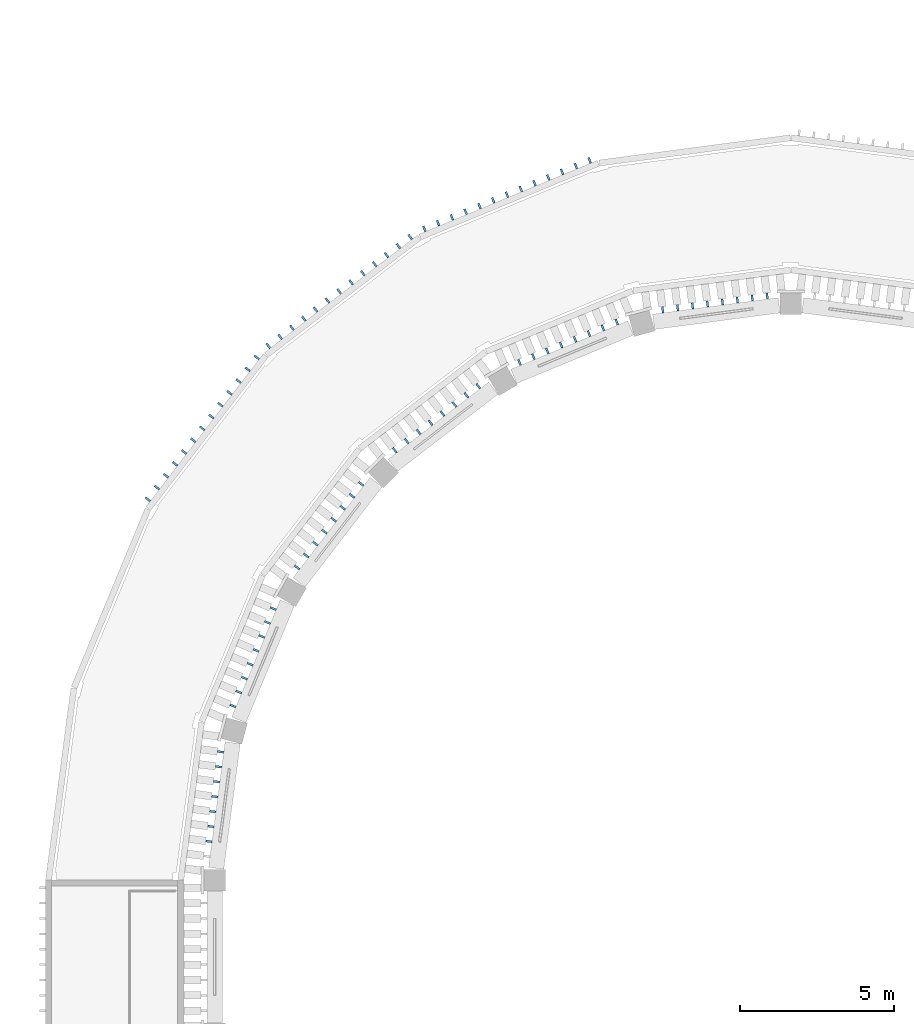
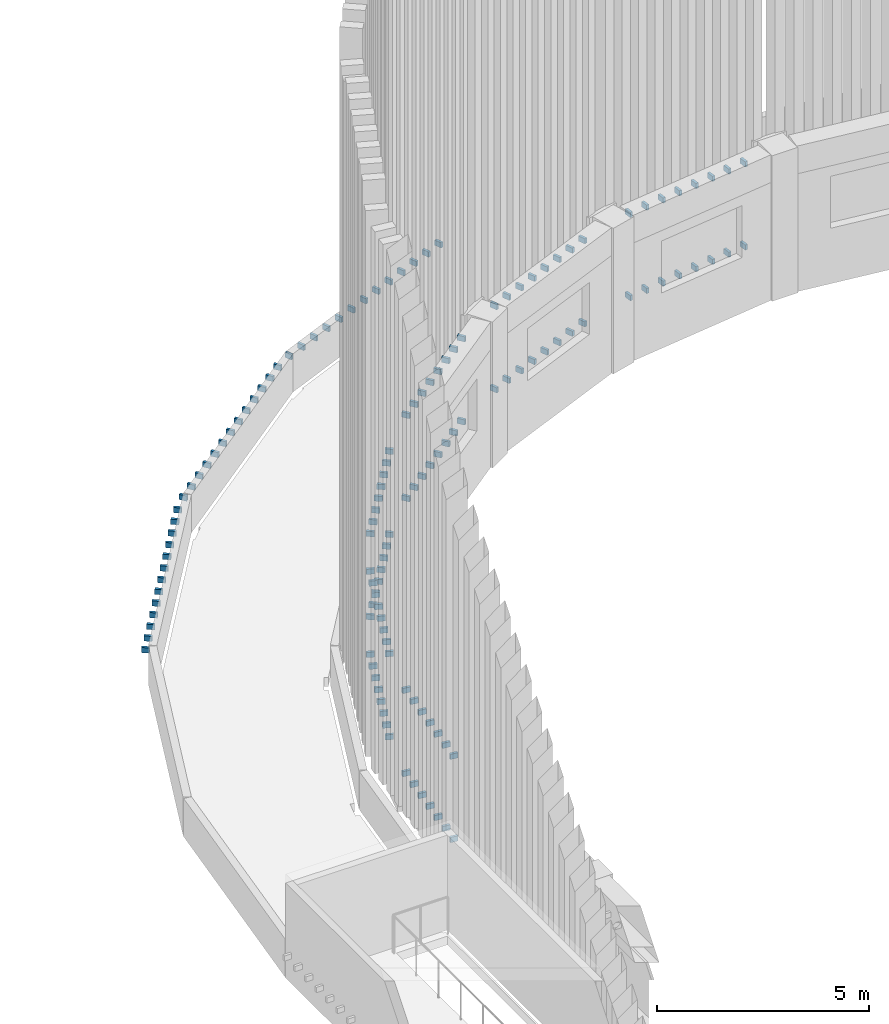
# One storey, part 45 of 68: 133 discrete accessories.
"""IFC4 building model written with IfcOpenShell, lengths in metres."""

from ifc_helpers import new_model, si_unit, direction, frame, origin, origin_2d, place, context, subcontext, project, spatial, rectangle, extrude, material, type_object, element, save


model = new_model("IFC4")

# Units and contexts
model_context = context("Model", 3, precision=1e-05, world=origin(), true_north=direction((0.0, 1.0)))
body_context = subcontext(model_context, "Body", "Model", "MODEL_VIEW")
ifc_project = project(units=[si_unit("LENGTHUNIT", "METRE"), si_unit("AREAUNIT", "SQUARE_METRE"), si_unit("VOLUMEUNIT", "CUBIC_METRE"), si_unit("PLANEANGLEUNIT", "RADIAN"), si_unit("MASSUNIT", "GRAM", prefix="KILO")], contexts=[model_context])

# Site, building, storey
site_placement = place(None, origin())
site = spatial("IfcSite", under=ifc_project, at=site_placement, CompositionType="ELEMENT")
building_placement = place(site_placement, origin())
building = spatial("IfcBuilding", under=site, at=building_placement, Name="Wasatch Bagh Community Centre", CompositionType="ELEMENT")
storey_placement = place(building_placement, frame((0.0, 0.0, 8.39990234375)))
storey = spatial("IfcBuildingStorey", under=building, at=storey_placement, Name="L02", CompositionType="ELEMENT", Elevation=8.39990234375)

# Discrete accessories
ifc_material = material(Name="ASTM A36 steel", Category="steel")
discrete_accessory_type_1 = type_object("IfcDiscreteAccessoryType", Name="Drum fin bracket", PredefinedType="BRACKET", material=ifc_material)
for number, where, z_axis, x_axis, name in (
    (1, (29.449951171875, 88.416748046875, 0.72509765625), (0.0, 0.0, 1.0), (-0.923879532511, -0.382683432365, 0.0), "Fin bracket 26.1.3"),
    (2, (29.001953125, 88.231201171875, 0.72509765625), (0.0, 0.0, 1.0), (-0.923879532511, -0.382683432365, 0.0), "Fin bracket 26.2.3"),
    (3, (28.553955078125, 88.045654296875, 0.72509765625), (0.0, 0.0, 1.0), (-0.923879532511, -0.382683432365, 0.0), "Fin bracket 26.3.3"),
    (4, (28.105712890625, 87.860107421875, 0.72509765625), (0.0, 0.0, 1.0), (-0.923879532511, -0.382683432365, 0.0), "Fin bracket 26.4.3"),
    (5, (27.65771484375, 87.674560546875, 0.72509765625), (0.0, 0.0, 1.0), (-0.923879532511, -0.382683432365, 0.0), "Fin bracket 26.5.3"),
    (6, (27.209716796875, 87.48876953125, 0.72509765625), (0.0, 0.0, 1.0), (-0.923879532511, -0.382683432365, 0.0), "Fin bracket 26.6.3"),
    (7, (26.76171875, 87.30322265625, 0.72509765625), (0.0, 0.0, 1.0), (-0.923879532511, -0.382683432365, 0.0), "Fin bracket 26.7.3"),
    (8, (26.313720703125, 87.11767578125, 0.72509765625), (0.0, 0.0, 1.0), (-0.923879532511, -0.382683432365, 0.0), "Fin bracket 26.8.3"),
    (9, (25.865478515625, 86.93212890625, 0.72509765625), (0.0, 0.0, 1.0), (-0.923879532511, -0.382683432365, 0.0), "Fin bracket 26.9.3"),
    (10, (25.41748046875, 86.74658203125, 0.72509765625), (0.0, 0.0, 1.0), (-0.923879532511, -0.382683432365, 0.0), "Fin bracket 26.10.3"),
    (11, (24.969482421875, 86.56103515625, 0.72509765625), (0.0, 0.0, 1.0), (-0.923879532511, -0.382683432365, 0.0), "Fin bracket 26.11.3"),
    (12, (24.521484375, 86.375244140625, 0.72509765625), (0.0, 0.0, 1.0), (-0.923879532511, -0.382683432365, 0.0), "Fin bracket 26.12.3"),
    (13, (24.073486328125, 86.189697265625, 0.72509765625), (0.0, 0.0, 1.0), (-0.923879532511, -0.382683432365, 0.0), "Fin bracket 26.13.3"),
    (14, (23.6123046875, 85.923583984375, 0.72509765625), (0.0, 0.0, 1.0), (-0.793353340291, -0.608761429009, 0.0), "Fin bracket 27.1.3"),
    (15, (23.2275390625, 85.62841796875, 0.72509765625), (0.0, 0.0, 1.0), (-0.793353340291, -0.608761429009, 0.0), "Fin bracket 27.2.3"),
    (16, (22.843017578125, 85.333251953125, 0.72509765625), (0.0, 0.0, 1.0), (-0.793353340291, -0.608761429009, 0.0), "Fin bracket 27.3.3"),
    (17, (22.458251953125, 85.037841796875, 0.72509765625), (0.0, 0.0, 1.0), (-0.793353340291, -0.608761429009, 0.0), "Fin bracket 27.4.3"),
    (18, (22.073486328125, 84.74267578125, 0.72509765625), (0.0, 0.0, 1.0), (-0.793353340291, -0.608761429009, 0.0), "Fin bracket 27.5.3"),
    (19, (21.688720703125, 84.447509765625, 0.72509765625), (0.0, 0.0, 1.0), (-0.793353340291, -0.608761429009, 0.0), "Fin bracket 27.6.3"),
    (20, (21.303955078125, 84.15234375, 0.72509765625), (0.0, 0.0, 1.0), (-0.793353340291, -0.608761429009, 0.0), "Fin bracket 27.7.3"),
    (21, (20.919189453125, 83.85693359375, 0.72509765625), (0.0, 0.0, 1.0), (-0.793353340291, -0.608761429009, 0.0), "Fin bracket 27.8.3"),
    (22, (20.534423828125, 83.561767578125, 0.72509765625), (0.0, 0.0, 1.0), (-0.793353340291, -0.608761429009, 0.0), "Fin bracket 27.9.3"),
    (23, (20.149658203125, 83.2666015625, 0.72509765625), (0.0, 0.0, 1.0), (-0.793353340291, -0.608761429009, 0.0), "Fin bracket 27.10.3"),
    (24, (19.764892578125, 82.971435546875, 0.72509765625), (0.0, 0.0, 1.0), (-0.793353340291, -0.608761429009, 0.0), "Fin bracket 27.11.3"),
    (25, (19.38037109375, 82.67626953125, 0.72509765625), (0.0, 0.0, 1.0), (-0.793353340291, -0.608761429009, 0.0), "Fin bracket 27.12.3"),
    (26, (18.99560546875, 82.380859375, 0.72509765625), (0.0, 0.0, 1.0), (-0.793353340291, -0.608761429009, 0.0), "Fin bracket 27.13.3"),
    (27, (18.619140625, 82.00439453125, 0.72509765625), (0.0, 0.0, 1.0), (-0.608761429009, -0.793353340291, 0.0), "Fin bracket 28.1.3"),
    (28, (18.32373046875, 81.61962890625, 0.72509765625), (0.0, 0.0, 1.0), (-0.608761429009, -0.793353340291, 0.0), "Fin bracket 28.2.3"),
    (29, (18.028564453125, 81.235107421875, 0.72509765625), (0.0, 0.0, 1.0), (-0.608761429009, -0.793353340291, 0.0), "Fin bracket 28.3.3"),
    (30, (17.7333984375, 80.850341796875, 0.72509765625), (0.0, 0.0, 1.0), (-0.608761429009, -0.793353340291, 0.0), "Fin bracket 28.4.3"),
    (31, (17.438232421875, 80.465576171875, 0.72509765625), (0.0, 0.0, 1.0), (-0.608761429009, -0.793353340291, 0.0), "Fin bracket 28.5.3"),
    (32, (17.14306640625, 80.080810546875, 0.72509765625), (0.0, 0.0, 1.0), (-0.608761429009, -0.793353340291, 0.0), "Fin bracket 28.6.3"),
    (33, (16.84765625, 79.696044921875, 0.72509765625), (0.0, 0.0, 1.0), (-0.608761429009, -0.793353340291, 0.0), "Fin bracket 28.7.3"),
    (34, (16.552490234375, 79.311279296875, 0.72509765625), (0.0, 0.0, 1.0), (-0.608761429009, -0.793353340291, 0.0), "Fin bracket 28.8.3"),
    (35, (16.25732421875, 78.926513671875, 0.72509765625), (0.0, 0.0, 1.0), (-0.608761429009, -0.793353340291, 0.0), "Fin bracket 28.9.3"),
    (36, (15.962158203125, 78.541748046875, 0.72509765625), (0.0, 0.0, 1.0), (-0.608761429009, -0.793353340291, 0.0), "Fin bracket 28.10.3"),
    (37, (15.666748046875, 78.156982421875, 0.72509765625), (0.0, 0.0, 1.0), (-0.608761429009, -0.793353340291, 0.0), "Fin bracket 28.11.3"),
    (38, (15.37158203125, 77.7724609375, 0.72509765625), (0.0, 0.0, 1.0), (-0.608761429009, -0.793353340291, 0.0), "Fin bracket 28.12.3"),
    (39, (15.076416015625, 77.3876953125, 0.72509765625), (0.0, 0.0, 1.0), (-0.608761429009, -0.793353340291, 0.0), "Fin bracket 28.13.3"),
):
    element("IfcDiscreteAccessory", number, at=place(storey_placement, frame(where, z_axis=z_axis, x_axis=x_axis)), inside=storey, type_object=discrete_accessory_type_1, Name=name, PredefinedType="BRACKET", context=body_context, shape_type="SweptSolid", body=[
        extrude(rectangle(XDim=0.070068359375, YDim=0.195068359375, at=origin_2d()), origin(), (0.0, 0.0, 1.0), 0.14990234375),
    ])
discrete_accessory_type_2 = type_object("IfcDiscreteAccessoryType", Name="MH fin bracket", PredefinedType="BRACKET", material=ifc_material)
for number, where, z_axis, x_axis, name in (
    (40, (35.226318359375, 84.001220703125, 1.3251953125), (0.0, 0.0, 1.0), (-0.991444861374, -0.13052619222, 0.0), "Fin bracket 25.2.1"),
    (41, (35.226318359375, 84.001220703125, 3.72509765625), (0.0, 0.0, 1.0), (-0.991444861374, -0.13052619222, 0.0), "Fin bracket 25.2.2"),
    (42, (34.7412109375, 83.937255859375, 1.3251953125), (0.0, 0.0, 1.0), (-0.991444861374, -0.13052619222, 0.0), "Fin bracket 25.3.1"),
    (43, (34.7412109375, 83.937255859375, 3.72509765625), (0.0, 0.0, 1.0), (-0.991444861374, -0.13052619222, 0.0), "Fin bracket 25.3.2"),
    (44, (34.255859375, 83.873291015625, 1.3251953125), (0.0, 0.0, 1.0), (-0.991444861374, -0.13052619222, 0.0), "Fin bracket 25.4.1"),
    (45, (34.255859375, 83.873291015625, 3.72509765625), (0.0, 0.0, 1.0), (-0.991444861374, -0.13052619222, 0.0), "Fin bracket 25.4.2"),
    (46, (33.7705078125, 83.8095703125, 1.3251953125), (0.0, 0.0, 1.0), (-0.991444861374, -0.13052619222, 0.0), "Fin bracket 25.5.1"),
    (47, (33.7705078125, 83.8095703125, 3.72509765625), (0.0, 0.0, 1.0), (-0.991444861374, -0.13052619222, 0.0), "Fin bracket 25.5.2"),
    (48, (33.28515625, 83.74560546875, 1.3251953125), (0.0, 0.0, 1.0), (-0.991444861374, -0.13052619222, 0.0), "Fin bracket 25.6.1"),
    (49, (33.28515625, 83.74560546875, 3.72509765625), (0.0, 0.0, 1.0), (-0.991444861374, -0.13052619222, 0.0), "Fin bracket 25.6.2"),
    (50, (32.800048828125, 83.681640625, 1.3251953125), (0.0, 0.0, 1.0), (-0.991444861374, -0.13052619222, 0.0), "Fin bracket 25.7.1"),
    (51, (32.800048828125, 83.681640625, 3.72509765625), (0.0, 0.0, 1.0), (-0.991444861374, -0.13052619222, 0.0), "Fin bracket 25.7.2"),
    (52, (32.314697265625, 83.617919921875, 1.3251953125), (0.0, 0.0, 1.0), (-0.991444861374, -0.13052619222, 0.0), "Fin bracket 25.8.1"),
    (53, (32.314697265625, 83.617919921875, 3.72509765625), (0.0, 0.0, 1.0), (-0.991444861374, -0.13052619222, 0.0), "Fin bracket 25.8.2"),
    (54, (31.829345703125, 83.553955078125, 1.3251953125), (0.0, 0.0, 1.0), (-0.991444861374, -0.13052619222, 0.0), "Fin bracket 25.9.1"),
    (55, (31.829345703125, 83.553955078125, 3.72509765625), (0.0, 0.0, 1.0), (-0.991444861374, -0.13052619222, 0.0), "Fin bracket 25.9.2"),
    (56, (30.3349609375, 83.153564453125, 1.3251953125), (0.0, 0.0, 1.0), (-0.923879532511, -0.382683432365, 0.0), "Fin bracket 26.2.1"),
    (57, (30.3349609375, 83.153564453125, 3.72509765625), (0.0, 0.0, 1.0), (-0.923879532511, -0.382683432365, 0.0), "Fin bracket 26.2.2"),
    (58, (29.882568359375, 82.966064453125, 1.3251953125), (0.0, 0.0, 1.0), (-0.923879532511, -0.382683432365, 0.0), "Fin bracket 26.3.1"),
    (59, (29.882568359375, 82.966064453125, 3.72509765625), (0.0, 0.0, 1.0), (-0.923879532511, -0.382683432365, 0.0), "Fin bracket 26.3.2"),
    (60, (29.430419921875, 82.77880859375, 1.3251953125), (0.0, 0.0, 1.0), (-0.923879532511, -0.382683432365, 0.0), "Fin bracket 26.4.1"),
    (61, (29.430419921875, 82.77880859375, 3.72509765625), (0.0, 0.0, 1.0), (-0.923879532511, -0.382683432365, 0.0), "Fin bracket 26.4.2"),
    (62, (28.978271484375, 82.591552734375, 1.3251953125), (0.0, 0.0, 1.0), (-0.923879532511, -0.382683432365, 0.0), "Fin bracket 26.5.1"),
    (63, (28.978271484375, 82.591552734375, 3.72509765625), (0.0, 0.0, 1.0), (-0.923879532511, -0.382683432365, 0.0), "Fin bracket 26.5.2"),
    (64, (28.526123046875, 82.404296875, 1.3251953125), (0.0, 0.0, 1.0), (-0.923879532511, -0.382683432365, 0.0), "Fin bracket 26.6.1"),
    (65, (28.526123046875, 82.404296875, 3.72509765625), (0.0, 0.0, 1.0), (-0.923879532511, -0.382683432365, 0.0), "Fin bracket 26.6.2"),
    (66, (28.07373046875, 82.217041015625, 1.3251953125), (0.0, 0.0, 1.0), (-0.923879532511, -0.382683432365, 0.0), "Fin bracket 26.7.1"),
    (67, (28.07373046875, 82.217041015625, 3.72509765625), (0.0, 0.0, 1.0), (-0.923879532511, -0.382683432365, 0.0), "Fin bracket 26.7.2"),
    (68, (27.62158203125, 82.029541015625, 1.3251953125), (0.0, 0.0, 1.0), (-0.923879532511, -0.382683432365, 0.0), "Fin bracket 26.8.1"),
    (69, (27.62158203125, 82.029541015625, 3.72509765625), (0.0, 0.0, 1.0), (-0.923879532511, -0.382683432365, 0.0), "Fin bracket 26.8.2"),
    (70, (27.16943359375, 81.84228515625, 1.3251953125), (0.0, 0.0, 1.0), (-0.923879532511, -0.382683432365, 0.0), "Fin bracket 26.9.1"),
    (71, (27.16943359375, 81.84228515625, 3.72509765625), (0.0, 0.0, 1.0), (-0.923879532511, -0.382683432365, 0.0), "Fin bracket 26.9.2"),
    (72, (25.829345703125, 81.068603515625, 1.3251953125), (0.0, 0.0, 1.0), (-0.793353340291, -0.608761429009, 0.0), "Fin bracket 27.2.1"),
    (73, (25.829345703125, 81.068603515625, 3.72509765625), (0.0, 0.0, 1.0), (-0.793353340291, -0.608761429009, 0.0), "Fin bracket 27.2.2"),
    (74, (25.441162109375, 80.770751953125, 1.3251953125), (0.0, 0.0, 1.0), (-0.793353340291, -0.608761429009, 0.0), "Fin bracket 27.3.1"),
    (75, (25.441162109375, 80.770751953125, 3.72509765625), (0.0, 0.0, 1.0), (-0.793353340291, -0.608761429009, 0.0), "Fin bracket 27.3.2"),
    (76, (25.052734375, 80.47265625, 1.3251953125), (0.0, 0.0, 1.0), (-0.793353340291, -0.608761429009, 0.0), "Fin bracket 27.4.1"),
    (77, (25.052734375, 80.47265625, 3.72509765625), (0.0, 0.0, 1.0), (-0.793353340291, -0.608761429009, 0.0), "Fin bracket 27.4.2"),
    (78, (24.66455078125, 80.1748046875, 1.3251953125), (0.0, 0.0, 1.0), (-0.793353340291, -0.608761429009, 0.0), "Fin bracket 27.5.1"),
    (79, (24.66455078125, 80.1748046875, 3.72509765625), (0.0, 0.0, 1.0), (-0.793353340291, -0.608761429009, 0.0), "Fin bracket 27.5.2"),
    (80, (24.276123046875, 79.876708984375, 1.3251953125), (0.0, 0.0, 1.0), (-0.793353340291, -0.608761429009, 0.0), "Fin bracket 27.6.1"),
    (81, (24.276123046875, 79.876708984375, 3.72509765625), (0.0, 0.0, 1.0), (-0.793353340291, -0.608761429009, 0.0), "Fin bracket 27.6.2"),
    (82, (23.887939453125, 79.578857421875, 1.3251953125), (0.0, 0.0, 1.0), (-0.793353340291, -0.608761429009, 0.0), "Fin bracket 27.7.1"),
    (83, (23.887939453125, 79.578857421875, 3.72509765625), (0.0, 0.0, 1.0), (-0.793353340291, -0.608761429009, 0.0), "Fin bracket 27.7.2"),
    (84, (23.49951171875, 79.28076171875, 1.3251953125), (0.0, 0.0, 1.0), (-0.793353340291, -0.608761429009, 0.0), "Fin bracket 27.8.1"),
    (85, (23.49951171875, 79.28076171875, 3.72509765625), (0.0, 0.0, 1.0), (-0.793353340291, -0.608761429009, 0.0), "Fin bracket 27.8.2"),
    (86, (23.111083984375, 78.98291015625, 1.3251953125), (0.0, 0.0, 1.0), (-0.793353340291, -0.608761429009, 0.0), "Fin bracket 27.9.1"),
    (87, (23.111083984375, 78.98291015625, 3.72509765625), (0.0, 0.0, 1.0), (-0.793353340291, -0.608761429009, 0.0), "Fin bracket 27.9.2"),
    (88, (22.01708984375, 77.888916015625, 1.3251953125), (0.0, 0.0, 1.0), (-0.608761429009, -0.793353340291, 0.0), "Fin bracket 28.2.1"),
    (89, (22.01708984375, 77.888916015625, 3.72509765625), (0.0, 0.0, 1.0), (-0.608761429009, -0.793353340291, 0.0), "Fin bracket 28.2.2"),
    (90, (21.71923828125, 77.50048828125, 1.3251953125), (0.0, 0.0, 1.0), (-0.608761429009, -0.793353340291, 0.0), "Fin bracket 28.3.1"),
    (91, (21.71923828125, 77.50048828125, 3.72509765625), (0.0, 0.0, 1.0), (-0.608761429009, -0.793353340291, 0.0), "Fin bracket 28.3.2"),
    (92, (21.421142578125, 77.112060546875, 1.3251953125), (0.0, 0.0, 1.0), (-0.608761429009, -0.793353340291, 0.0), "Fin bracket 28.4.1"),
    (93, (21.421142578125, 77.112060546875, 3.72509765625), (0.0, 0.0, 1.0), (-0.608761429009, -0.793353340291, 0.0), "Fin bracket 28.4.2"),
    (94, (21.123291015625, 76.723876953125, 1.3251953125), (0.0, 0.0, 1.0), (-0.608761429009, -0.793353340291, 0.0), "Fin bracket 28.5.1"),
    (95, (21.123291015625, 76.723876953125, 3.72509765625), (0.0, 0.0, 1.0), (-0.608761429009, -0.793353340291, 0.0), "Fin bracket 28.5.2"),
    (96, (20.8251953125, 76.33544921875, 1.3251953125), (0.0, 0.0, 1.0), (-0.608761429009, -0.793353340291, 0.0), "Fin bracket 28.6.1"),
    (97, (20.8251953125, 76.33544921875, 3.72509765625), (0.0, 0.0, 1.0), (-0.608761429009, -0.793353340291, 0.0), "Fin bracket 28.6.2"),
    (98, (20.52734375, 75.947265625, 1.3251953125), (0.0, 0.0, 1.0), (-0.608761429009, -0.793353340291, 0.0), "Fin bracket 28.7.1"),
    (99, (20.52734375, 75.947265625, 3.72509765625), (0.0, 0.0, 1.0), (-0.608761429009, -0.793353340291, 0.0), "Fin bracket 28.7.2"),
    (100, (20.229248046875, 75.558837890625, 1.3251953125), (0.0, 0.0, 1.0), (-0.608761429009, -0.793353340291, 0.0), "Fin bracket 28.8.1"),
    (101, (20.229248046875, 75.558837890625, 3.72509765625), (0.0, 0.0, 1.0), (-0.608761429009, -0.793353340291, 0.0), "Fin bracket 28.8.2"),
    (102, (19.931396484375, 75.170654296875, 1.3251953125), (0.0, 0.0, 1.0), (-0.608761429009, -0.793353340291, 0.0), "Fin bracket 28.9.1"),
    (103, (19.931396484375, 75.170654296875, 3.72509765625), (0.0, 0.0, 1.0), (-0.608761429009, -0.793353340291, 0.0), "Fin bracket 28.9.2"),
    (104, (19.15771484375, 73.83056640625, 1.3251953125), (0.0, 0.0, 1.0), (-0.382683432365, -0.923879532511, 0.0), "Fin bracket 29.2.1"),
    (105, (19.15771484375, 73.83056640625, 3.72509765625), (0.0, 0.0, 1.0), (-0.382683432365, -0.923879532511, 0.0), "Fin bracket 29.2.2"),
    (106, (18.970458984375, 73.37841796875, 1.3251953125), (0.0, 0.0, 1.0), (-0.382683432365, -0.923879532511, 0.0), "Fin bracket 29.3.1"),
    (107, (18.970458984375, 73.37841796875, 3.72509765625), (0.0, 0.0, 1.0), (-0.382683432365, -0.923879532511, 0.0), "Fin bracket 29.3.2"),
    (108, (18.782958984375, 72.92626953125, 1.3251953125), (0.0, 0.0, 1.0), (-0.382683432365, -0.923879532511, 0.0), "Fin bracket 29.4.1"),
    (109, (18.782958984375, 72.92626953125, 3.72509765625), (0.0, 0.0, 1.0), (-0.382683432365, -0.923879532511, 0.0), "Fin bracket 29.4.2"),
    (110, (18.595703125, 72.473876953125, 1.3251953125), (0.0, 0.0, 1.0), (-0.382683432365, -0.923879532511, 0.0), "Fin bracket 29.5.1"),
    (111, (18.595703125, 72.473876953125, 3.72509765625), (0.0, 0.0, 1.0), (-0.382683432365, -0.923879532511, 0.0), "Fin bracket 29.5.2"),
    (112, (18.408447265625, 72.021728515625, 1.3251953125), (0.0, 0.0, 1.0), (-0.382683432365, -0.923879532511, 0.0), "Fin bracket 29.6.1"),
    (113, (18.408447265625, 72.021728515625, 3.72509765625), (0.0, 0.0, 1.0), (-0.382683432365, -0.923879532511, 0.0), "Fin bracket 29.6.2"),
    (114, (18.22119140625, 71.569580078125, 1.3251953125), (0.0, 0.0, 1.0), (-0.382683432365, -0.923879532511, 0.0), "Fin bracket 29.7.1"),
    (115, (18.22119140625, 71.569580078125, 3.72509765625), (0.0, 0.0, 1.0), (-0.382683432365, -0.923879532511, 0.0), "Fin bracket 29.7.2"),
    (116, (18.033935546875, 71.117431640625, 1.3251953125), (0.0, 0.0, 1.0), (-0.382683432365, -0.923879532511, 0.0), "Fin bracket 29.8.1"),
    (117, (18.033935546875, 71.117431640625, 3.72509765625), (0.0, 0.0, 1.0), (-0.382683432365, -0.923879532511, 0.0), "Fin bracket 29.8.2"),
    (118, (17.846435546875, 70.6650390625, 1.3251953125), (0.0, 0.0, 1.0), (-0.382683432365, -0.923879532511, 0.0), "Fin bracket 29.9.1"),
    (119, (17.846435546875, 70.6650390625, 3.72509765625), (0.0, 0.0, 1.0), (-0.382683432365, -0.923879532511, 0.0), "Fin bracket 29.9.2"),
    (120, (17.446044921875, 69.170654296875, 1.3251953125), (0.0, 0.0, 1.0), (-0.13052619222, -0.991444861374, 0.0), "Fin bracket 30.2.1"),
    (121, (17.446044921875, 69.170654296875, 3.72509765625), (0.0, 0.0, 1.0), (-0.13052619222, -0.991444861374, 0.0), "Fin bracket 30.2.2"),
    (122, (17.382080078125, 68.685302734375, 1.3251953125), (0.0, 0.0, 1.0), (-0.13052619222, -0.991444861374, 0.0), "Fin bracket 30.3.1"),
    (123, (17.382080078125, 68.685302734375, 3.72509765625), (0.0, 0.0, 1.0), (-0.13052619222, -0.991444861374, 0.0), "Fin bracket 30.3.2"),
    (124, (17.318359375, 68.199951171875, 1.3251953125), (0.0, 0.0, 1.0), (-0.13052619222, -0.991444861374, 0.0), "Fin bracket 30.4.1"),
    (125, (17.318359375, 68.199951171875, 3.72509765625), (0.0, 0.0, 1.0), (-0.13052619222, -0.991444861374, 0.0), "Fin bracket 30.4.2"),
    (126, (17.25439453125, 67.71484375, 1.3251953125), (0.0, 0.0, 1.0), (-0.13052619222, -0.991444861374, 0.0), "Fin bracket 30.5.1"),
    (127, (17.25439453125, 67.71484375, 3.72509765625), (0.0, 0.0, 1.0), (-0.13052619222, -0.991444861374, 0.0), "Fin bracket 30.5.2"),
    (128, (17.1904296875, 67.2294921875, 1.3251953125), (0.0, 0.0, 1.0), (-0.13052619222, -0.991444861374, 0.0), "Fin bracket 30.6.1"),
    (129, (17.1904296875, 67.2294921875, 3.72509765625), (0.0, 0.0, 1.0), (-0.13052619222, -0.991444861374, 0.0), "Fin bracket 30.6.2"),
    (130, (17.126708984375, 66.744140625, 1.3251953125), (0.0, 0.0, 1.0), (-0.13052619222, -0.991444861374, 0.0), "Fin bracket 30.7.1"),
    (131, (17.126708984375, 66.744140625, 3.72509765625), (0.0, 0.0, 1.0), (-0.13052619222, -0.991444861374, 0.0), "Fin bracket 30.7.2"),
    (132, (17.062744140625, 66.2587890625, 1.3251953125), (0.0, 0.0, 1.0), (-0.13052619222, -0.991444861374, 0.0), "Fin bracket 30.8.1"),
    (133, (17.062744140625, 66.2587890625, 3.72509765625), (0.0, 0.0, 1.0), (-0.13052619222, -0.991444861374, 0.0), "Fin bracket 30.8.2"),
):
    element("IfcDiscreteAccessory", number, at=place(storey_placement, frame(where, z_axis=z_axis, x_axis=x_axis)), inside=storey, type_object=discrete_accessory_type_2, Name=name, PredefinedType="BRACKET", context=body_context, shape_type="SweptSolid", body=[
        extrude(rectangle(XDim=0.070068359375, YDim=0.199951171875, at=origin_2d()), origin(), (0.0, 0.0, 1.0), 0.14990234375),
    ])

save(model, "model.ifc")
